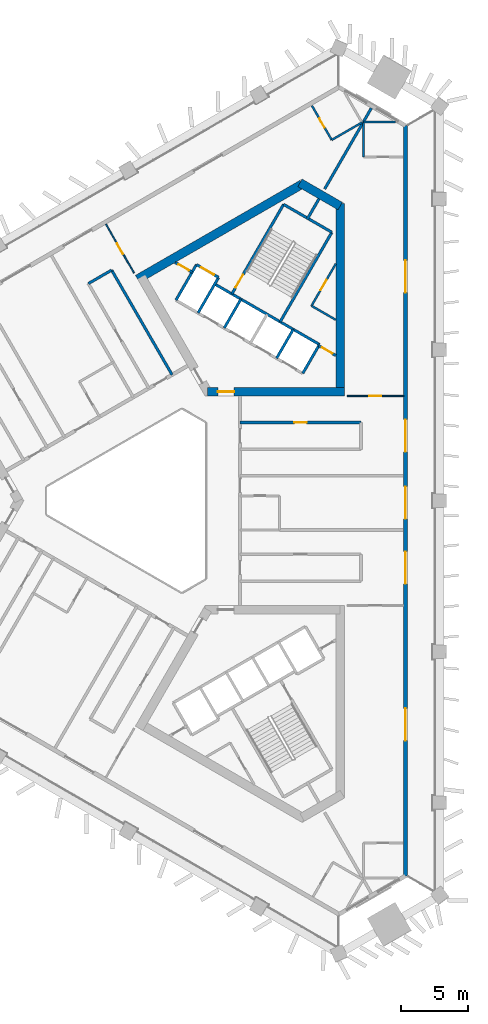
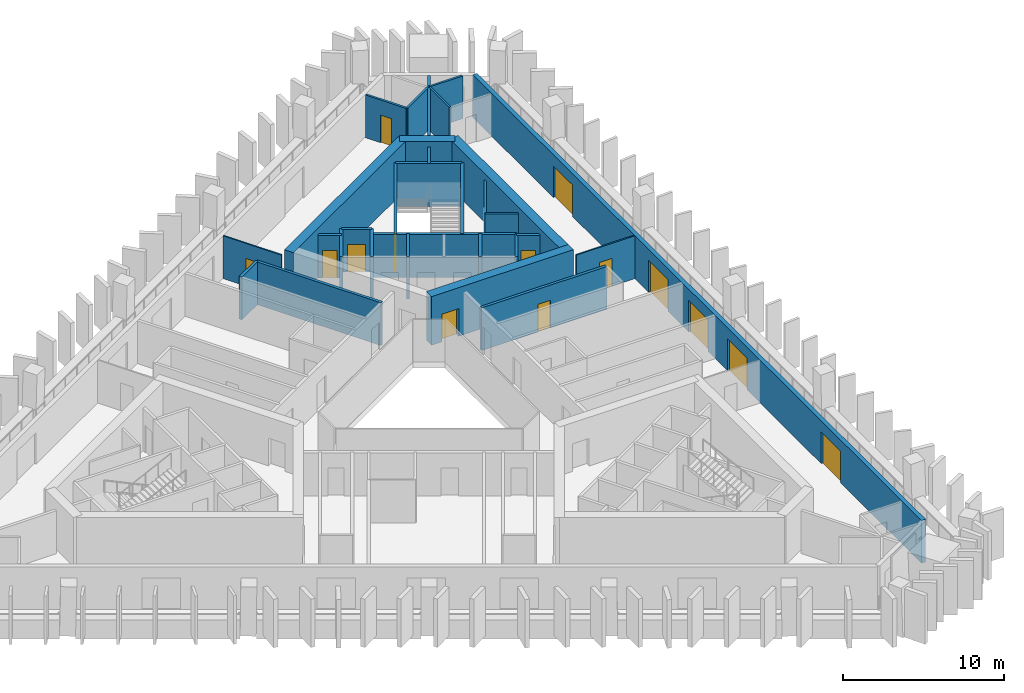
# One storey, part 6 of 11: 30 walls, 15 doors, 15 openings.
"""IFC4 building model written with IfcOpenShell, lengths in metres."""

import ifcopenshell
import ifcopenshell.guid

model = None  # the IFC model being written
_history = None  # IfcOwnerHistory: only IFC2X3 demands one
_inside = {}  # id of a spatial element -> (the spatial element, [elements in it])
_under = {}  # id of a project, library or spatial element -> (it, [spatial elements below it])
_declared = {}  # id of a project -> (the project, [libraries it declares])
_typed = {}  # id of a type object -> (the type object, [elements of that type])
_made_of = {}  # id of a material, layer set ... -> (it, [elements and type objects made of it])


def new_model(schema):
    """Start an empty IFC model of exactly this schema.

    Asked for "IFC4X3", IfcOpenShell would pick the latest addendum, in which some entities
    have other attributes; the version numbers below select the first issue.
    IFC2X3 requires an IfcOwnerHistory on every rooted entity: one is made here for all.
    """
    global model, _history
    if schema == "IFC4X3":
        model = ifcopenshell.file(schema_version=(4, 3, 0, 0))
    else:
        model = ifcopenshell.file(schema=schema)
    _inside.clear()
    _under.clear()
    _declared.clear()
    _typed.clear()
    _made_of.clear()
    _history = None
    if model.schema == "IFC2X3":
        org = make("IfcOrganization", Name="unknown")
        user = make(
            "IfcPersonAndOrganization",
            ThePerson=make("IfcPerson", FamilyName="unknown"),
            TheOrganization=org,
        )
        app = make(
            "IfcApplication",
            ApplicationDeveloper=org,
            Version="unknown",
            ApplicationFullName="unknown",
            ApplicationIdentifier="unknown",
        )
        _history = make(
            "IfcOwnerHistory",
            OwningUser=user,
            OwningApplication=app,
            ChangeAction="ADDED",
            CreationDate=0,
        )
    return model


def make(cls, **values):
    """One entity of the class cls with the attributes given. An attribute that is None is left unset."""
    return model.create_entity(
        cls, **{name: value for name, value in values.items() if value is not None}
    )


def rooted(cls, **values):
    """An entity with a GlobalId (a new one), such as an element, a storey or a relation."""
    return make(cls, GlobalId=ifcopenshell.guid.new(), OwnerHistory=_history, **values)


def si_unit(unit_type, name, prefix=None):
    """IfcSIUnit, for example si_unit("LENGTHUNIT", "METRE", prefix="MILLI")."""
    return make("IfcSIUnit", UnitType=unit_type, Prefix=prefix, Name=name)


def assignment(units):
    """IfcUnitAssignment: the units of a project."""
    return None if units is None else make("IfcUnitAssignment", Units=units)


def point(xyz):
    """IfcCartesianPoint."""
    return None if xyz is None else make("IfcCartesianPoint", Coordinates=xyz)


def direction(xyz):
    """IfcDirection."""
    return None if xyz is None else make("IfcDirection", DirectionRatios=xyz)


def frame(location, z_axis=None, x_axis=None):
    """IfcAxis2Placement3D, a coordinate frame: its origin and axes. An axis left out is left unset."""
    return make(
        "IfcAxis2Placement3D",
        Location=point(location),
        Axis=direction(z_axis),
        RefDirection=direction(x_axis),
    )


def frame_2d(location, x_axis=None):
    """IfcAxis2Placement2D, a coordinate frame in the plane: its origin and x axis."""
    return make(
        "IfcAxis2Placement2D", Location=point(location), RefDirection=direction(x_axis)
    )


def origin():
    """The frame at (0, 0, 0) with its axes left unset."""
    return frame((0.0, 0.0, 0.0))


def place(relative_to, where):
    """IfcLocalPlacement: puts the frame where relative to a parent placement (None: the world)."""
    return make(
        "IfcLocalPlacement", PlacementRelTo=relative_to, RelativePlacement=where
    )


def context(
    kind, dimensions, precision=None, world=None, true_north=None, identifier=None
):
    """IfcGeometricRepresentationContext, for example the 3D "Model" context."""
    return make(
        "IfcGeometricRepresentationContext",
        ContextIdentifier=identifier,
        ContextType=kind,
        CoordinateSpaceDimension=dimensions,
        Precision=precision,
        WorldCoordinateSystem=world,
        TrueNorth=true_north,
    )


def subcontext(parent, identifier, kind, view, scale=None):
    """IfcGeometricRepresentationSubContext, for example "Body" below "Model"."""
    return make(
        "IfcGeometricRepresentationSubContext",
        ContextIdentifier=identifier,
        ContextType=kind,
        ParentContext=parent,
        TargetScale=scale,
        TargetView=view,
    )


def project(units=None, contexts=None):
    """IfcProject with its units and contexts."""
    return rooted(
        "IfcProject",
        Name="project",
        RepresentationContexts=contexts,
        UnitsInContext=assignment(units),
    )


def spatial(cls, under=None, at=None, **own):
    """A site, building, storey or space (cls), placed at a placement, below another one or the project."""
    s = rooted(cls, ObjectPlacement=at, **own)
    if under is not None:
        _under.setdefault(under.id(), (under, []))[1].append(s)
    return s


def profile(cls, at=None, kind="AREA", **sizes):
    """A parametric profile (cls). Its sizes go by their IFC names, for example OverallWidth=200.0."""
    return make(cls, ProfileType=kind, Position=at, **sizes)


def rectangle(**sizes):
    """IfcRectangleProfileDef."""
    return profile("IfcRectangleProfileDef", **sizes)


def extrude(swept, where, along, depth):
    """IfcExtrudedAreaSolid: the profile swept, set in the frame where, extruded along a direction by depth."""
    return make(
        "IfcExtrudedAreaSolid",
        SweptArea=swept,
        Position=where,
        ExtrudedDirection=direction(along),
        Depth=depth,
    )


def shape(context_of_items, identifier, shape_type, items):
    """IfcShapeRepresentation: the items that make up one representation, for example the "Body"."""
    return make(
        "IfcShapeRepresentation",
        ContextOfItems=context_of_items,
        RepresentationIdentifier=identifier,
        RepresentationType=shape_type,
        Items=items,
    )


def material(Name=None, Category=None):
    """IfcMaterial."""
    return make("IfcMaterial", Name=Name, Category=Category)


def layer(
    of_material, thickness, ventilated=None, Name=None, Category=None, Priority=None
):
    """IfcMaterialLayer: one layer of a wall or slab, of a material (None: an air gap)."""
    return make(
        "IfcMaterialLayer",
        Material=of_material,
        LayerThickness=thickness,
        IsVentilated=ventilated,
        Name=Name,
        Category=Category,
        Priority=Priority,
    )


def layer_set(layers, Name=None):
    """IfcMaterialLayerSet."""
    return make("IfcMaterialLayerSet", MaterialLayers=layers, LayerSetName=Name)


def made_of(thing, what):
    """Note that an element or type object is made of a material, layer set ...; save() writes the relation."""
    if what is not None:
        _made_of.setdefault(what.id(), (what, []))[1].append(thing)
    return thing


def type_object(cls, material=None, **own):
    """A type object (cls), such as IfcWallType, which elements share."""
    return made_of(rooted(cls, **own), material)


def element(
    cls,
    number,
    at=None,
    inside=None,
    cuts=None,
    type_object=None,
    material=None,
    context=None,
    identifier="Body",
    shape_type=None,
    held_by="IfcProductDefinitionShape",
    body=None,
    shapes=None,
    **own,
):
    """One element of the class cls, such as IfcWall. Its Tag is "e" and its number.

    at: its placement. inside: the storey or other place that contains it. cuts: it is an
    opening in that element (IfcRelVoidsElement). A single representation is given by context,
    identifier, shape_type and body (its items); several are given by shapes. held_by: the class
    of the entity that holds the representations. save() writes the other relations.
    """
    e = rooted(cls, Tag="e%d" % number, ObjectPlacement=at, **own)
    if body is not None:
        shapes = [shape(context, identifier, shape_type, body)]
    if shapes is not None:
        e.Representation = make(held_by, Representations=shapes)
    if inside is not None:
        _inside.setdefault(inside.id(), (inside, []))[1].append(e)
    if cuts is not None:
        rooted(
            "IfcRelVoidsElement", RelatingBuildingElement=cuts, RelatedOpeningElement=e
        )
    if type_object is not None:
        _typed.setdefault(type_object.id(), (type_object, []))[1].append(e)
    return made_of(e, material)


def fill(opening, filler):
    """IfcRelFillsElement: the door or window that sits in an opening."""
    return rooted(
        "IfcRelFillsElement",
        RelatingOpeningElement=opening,
        RelatedBuildingElement=filler,
    )


def aggregate(whole, parts):
    """IfcRelAggregates: a whole, such as a stair, and the parts it consists of."""
    return rooted("IfcRelAggregates", RelatingObject=whole, RelatedObjects=parts)


def save(model, path):
    """Write the relations noted so far, then the file.

    IfcRelAggregates (storeys below a building ...), IfcRelContainedInSpatialStructure (elements
    in a storey), IfcRelDefinesByType, IfcRelAssociatesMaterial and IfcRelDeclares: one each for
    every whole, place, type object, material and project.
    """
    for whole, parts in _under.values():
        aggregate(whole, parts)
    for where, things in _inside.values():
        rooted(
            "IfcRelContainedInSpatialStructure",
            RelatedElements=things,
            RelatingStructure=where,
        )
    for kind, things in _typed.values():
        rooted("IfcRelDefinesByType", RelatedObjects=things, RelatingType=kind)
    for what, things in _made_of.values():
        rooted("IfcRelAssociatesMaterial", RelatedObjects=things, RelatingMaterial=what)
    for by, libraries in _declared.values():
        rooted("IfcRelDeclares", RelatingContext=by, RelatedDefinitions=libraries)
    model.write(path)


model = new_model("IFC4")

# Units and contexts
model_context = context("Model", 3, precision=1e-05, world=origin(), true_north=direction((0.0, 1.0)))
body_context = subcontext(model_context, "Body", "Model", "MODEL_VIEW")
ifc_project = project(units=[si_unit("LENGTHUNIT", "METRE"), si_unit("AREAUNIT", "SQUARE_METRE"), si_unit("VOLUMEUNIT", "CUBIC_METRE"), si_unit("PLANEANGLEUNIT", "RADIAN"), si_unit("MASSUNIT", "GRAM", prefix="KILO")], contexts=[model_context])

# Site, building, storey
site_placement = place(None, origin())
site = spatial("IfcSite", under=ifc_project, at=site_placement, CompositionType="ELEMENT")
building_placement = place(site_placement, origin())
building = spatial("IfcBuilding", under=site, at=building_placement, Name="Jabali Bay Hotel Tower and Convention Centre", CompositionType="ELEMENT")
storey_placement = place(building_placement, frame((0.0, 0.0, 132.699951171875)))
storey = spatial("IfcBuildingStorey", under=building, at=storey_placement, Name="L32", CompositionType="ELEMENT", Elevation=132.699951171875)

# Wall
ifc_material_1 = material(Name="Concrete C40", Category="concrete")
ifc_layer_1 = layer(ifc_material_1, 0.199951171875)
ifc_layer_set_1 = layer_set([ifc_layer_1], Name="Concrete C40")
wall_type_1 = type_object("IfcWallType", Name="Core partition wall 200", PredefinedType="PARTITIONING", material=ifc_layer_set_1)
wall_1_placement = place(storey_placement, frame((87.090087890625, 100.9404296875, 0.0), z_axis=(0.0, 0.0, 1.0), x_axis=(0.499944938281, 0.866057191349, 0.0)))
element("IfcWall", 1, at=wall_1_placement, inside=storey, type_object=wall_type_1, Name="Core wall 1.5 L32", PredefinedType="PARTITIONING", context=body_context, shape_type="SweptSolid", body=[
    extrude(rectangle(XDim=1.773193359375, YDim=0.199951171875, at=frame_2d((0.88671875, 0.0))), origin(), (0.0, 0.0, 1.0), 3.25),
])

# Wall, opening, door
wall_2_placement = place(storey_placement, frame((89.22998046875, 90.813720703125, 0.0), z_axis=(0.0, 0.0, 1.0), x_axis=(-0.866022048785, 0.500005810984, 0.0)))
wall_2 = element("IfcWall", 2, at=wall_2_placement, inside=storey, type_object=wall_type_1, Name="Core wall 1.11 L32", PredefinedType="PARTITIONING", context=body_context, shape_type="SweptSolid", body=[
    extrude(rectangle(XDim=1.466796875, YDim=0.199951171875, at=frame_2d((0.7333984375, 0.0))), origin(), (0.0, 0.0, 1.0), 3.25),
])
opening_1_placement = place(wall_2_placement, frame((0.283447265625, 0.0, 0.0)))
opening_1 = element("IfcOpeningElement", 3, at=opening_1_placement, cuts=wall_2, Name="Opening D713", PredefinedType="OPENING", context=body_context, shape_type="SweptSolid", body=[
    extrude(rectangle(XDim=0.89990234375, YDim=2.10009765625, at=frame_2d((0.449951171875, 1.050048828125))), frame((0.0, 0.1103515625, 0.0), z_axis=(0.0, -1.0, 0.0), x_axis=(1.0, 0.0, 0.0)), (0.0, 0.0, 1.0), 0.220947265625),
])
ifc_material_2 = material(Name="Fire-rated steel door", Category="steel")
door_type_1 = type_object("IfcDoorType", Name="Vestibule fire door 900 x 2100", OperationType="NOTDEFINED", PredefinedType="NOTDEFINED", material=ifc_material_2)
door_1_placement = place(opening_1_placement, origin())
door_1 = element("IfcDoor", 4, at=door_1_placement, inside=storey, type_object=door_type_1, Name="Vestibule fire door D713", OperationType="SINGLE_SWING_LEFT", OverallHeight=2.10009765625, OverallWidth=0.89990234375, PredefinedType="NOTDEFINED", context=body_context, shape_type="SweptSolid", body=[
    extrude(rectangle(XDim=0.89990234375, YDim=2.10009765625, at=frame_2d((0.449951171875, 1.050048828125))), frame((0.0, 0.02490234375, 0.0), z_axis=(0.0, -1.0, 0.0), x_axis=(1.0, 0.0, 0.0)), (0.0, 0.0, 1.0), 0.050048828125),
])
fill(opening_1, door_1)

wall_3_placement = place(storey_placement, frame((78.5302734375, 97.014404296875, 0.0), z_axis=(0.0, 0.0, 1.0), x_axis=(-0.866045896294, 0.499964504253, 0.0)))
wall_3 = element("IfcWall", 5, at=wall_3_placement, inside=storey, type_object=wall_type_1, Name="Core wall 1.12 L32", PredefinedType="PARTITIONING", context=body_context, shape_type="SweptSolid", body=[
    extrude(rectangle(XDim=1.455078125, YDim=0.199951171875, at=frame_2d((0.7275390625, 0.0))), origin(), (0.0, 0.0, 1.0), 3.25),
])
opening_2_placement = place(wall_3_placement, frame((0.277587890625, 0.0, 0.0)))
opening_2 = element("IfcOpeningElement", 6, at=opening_2_placement, cuts=wall_3, Name="Opening D712", PredefinedType="OPENING", context=body_context, shape_type="SweptSolid", body=[
    extrude(rectangle(XDim=0.89990234375, YDim=2.10009765625, at=frame_2d((0.449951171875, 1.050048828125))), frame((0.0, 0.1103515625, 0.0), z_axis=(0.0, -1.0, 0.0), x_axis=(1.0, 0.0, 0.0)), (0.0, 0.0, 1.0), 0.220947265625),
])
door_2_placement = place(opening_2_placement, origin())
door_2 = element("IfcDoor", 7, at=door_2_placement, inside=storey, type_object=door_type_1, Name="Vestibule fire door D712", OperationType="SINGLE_SWING_LEFT", OverallHeight=2.10009765625, OverallWidth=0.89990234375, PredefinedType="NOTDEFINED", context=body_context, shape_type="SweptSolid", body=[
    extrude(rectangle(XDim=0.89990234375, YDim=2.10009765625, at=frame_2d((0.449951171875, 1.050048828125))), frame((0.0, 0.02490234375, 0.0), z_axis=(0.0, -1.0, 0.0), x_axis=(1.0, 0.0, 0.0)), (0.0, 0.0, 1.0), 0.050048828125),
])
fill(opening_2, door_2)

ifc_material_3 = material(Name="Fire-rated board partition")
ifc_layer_2 = layer(ifc_material_3, 0.14990234375)
ifc_layer_set_2 = layer_set([ifc_layer_2], Name="Fire-rated board partition")
wall_type_2 = type_object("IfcWallType", Name="Core room partition 150", PredefinedType="PARTITIONING", material=ifc_layer_set_2)
wall_4_placement = place(storey_placement, frame((87.421142578125, 94.513916015625, 0.0), z_axis=(0.0, 0.0, 1.0), x_axis=(0.499993116331, 0.866029378036, 0.0)))
wall_4 = element("IfcWall", 8, at=wall_4_placement, inside=storey, type_object=wall_type_2, Name="Core wall 1.1 L32", PredefinedType="PARTITIONING", context=body_context, shape_type="SweptSolid", body=[
    extrude(rectangle(XDim=3.61767578125, YDim=0.14990234375, at=frame_2d((1.808837890625, 0.0))), origin(), (0.0, 0.0, 1.0), 3.25),
])
opening_3_placement = place(wall_4_placement, frame((1.33154296875, 0.0, 0.0)))
opening_3 = element("IfcOpeningElement", 9, at=opening_3_placement, cuts=wall_4, Name="Opening D715", PredefinedType="OPENING", context=body_context, shape_type="SweptSolid", body=[
    extrude(rectangle(XDim=0.89990234375, YDim=2.10009765625, at=frame_2d((0.449951171875, 1.050048828125))), frame((0.0, 0.08544921875, 0.0), z_axis=(0.0, -1.0, 0.0), x_axis=(1.0, 0.0, 0.0)), (0.0, 0.0, 1.0), 0.1708984375),
])
door_type_2 = type_object("IfcDoorType", Name="Core room door 900 x 2100", OperationType="NOTDEFINED", PredefinedType="NOTDEFINED", material=ifc_material_2)
door_3_placement = place(opening_3_placement, origin())
door_3 = element("IfcDoor", 10, at=door_3_placement, inside=storey, type_object=door_type_2, Name="Core room door D715", OperationType="SINGLE_SWING_LEFT", OverallHeight=2.10009765625, OverallWidth=0.89990234375, PredefinedType="NOTDEFINED", context=body_context, shape_type="SweptSolid", body=[
    extrude(rectangle(XDim=0.89990234375, YDim=2.10009765625, at=frame_2d((0.449951171875, 1.050048828125))), frame((0.0, 0.02490234375, 0.0), z_axis=(0.0, -1.0, 0.0), x_axis=(1.0, 0.0, 0.0)), (0.0, 0.0, 1.0), 0.050048828125),
])
fill(opening_3, door_3)

# Walls
wall_5_placement = place(storey_placement, frame((89.22998046875, 93.469482421875, 0.0), z_axis=(0.0, 0.0, 1.0), x_axis=(-0.866004557827, 0.500036104519, 0.0)))
element("IfcWall", 11, at=wall_5_placement, inside=storey, type_object=wall_type_2, Name="Core wall 1.15 L32", PredefinedType="PARTITIONING", context=body_context, shape_type="SweptSolid", body=[
    extrude(rectangle(XDim=2.088623046875, YDim=0.14990234375, at=frame_2d((1.04443359375, 0.0))), origin(), (0.0, 0.0, 1.0), 3.25),
])
ifc_layer_3 = layer(ifc_material_1, 0.199951171875)
ifc_layer_set_3 = layer_set([ifc_layer_3], Name="Concrete C40")
wall_type_3 = type_object("IfcWallType", Name="Core stair wall 200", PredefinedType="SOLIDWALL", material=ifc_layer_set_3)
for number, where, z_axis, x_axis, name in (
    (12, (86.769775390625, 89.48583984375, 0.0), (0.0, 0.0, 1.0), (0.499961042966, 0.86604789447, 0.0), "Core wall 1.0 L32"),
    (13, (84.8212890625, 90.61083984375, 0.0), (0.0, 0.0, 1.0), (0.499961042966, 0.86604789447, 0.0), "Core wall 1.2 L32"),
):
    element("IfcWall", number, at=place(storey_placement, frame(where, z_axis=z_axis, x_axis=x_axis)), inside=storey, type_object=wall_type_3, Name=name, PredefinedType="SOLIDWALL", context=body_context, shape_type="SweptSolid", body=[
        extrude(rectangle(XDim=2.480224609375, YDim=0.199951171875, at=frame_2d((1.240234375, 0.0))), origin(), (0.0, 0.0, 1.0), 3.25),
    ])
wall_6_placement = place(storey_placement, frame((85.0869140625, 93.3212890625, 0.0), z_axis=(0.0, 0.0, 1.0), x_axis=(0.500019787375, 0.866013979237, 0.0)))
element("IfcWall", 14, at=wall_6_placement, inside=storey, type_object=wall_type_3, Name="Core wall 1.3 L32", PredefinedType="SOLIDWALL", context=body_context, shape_type="SweptSolid", body=[
    extrude(rectangle(XDim=7.699951171875, YDim=0.199951171875, at=frame_2d((3.85009765625, 0.0))), origin(), (0.0, 0.0, 1.0), 3.25),
])
wall_7_placement = place(storey_placement, frame((80.924072265625, 92.86083984375, 0.0), z_axis=(0.0, 0.0, 1.0), x_axis=(0.499961042966, 0.86604789447, 0.0)))
element("IfcWall", 15, at=wall_7_placement, inside=storey, type_object=wall_type_3, Name="Core wall 1.6 L32", PredefinedType="SOLIDWALL", context=body_context, shape_type="SweptSolid", body=[
    extrude(rectangle(XDim=2.480224609375, YDim=0.199951171875, at=frame_2d((1.240234375, 0.0))), origin(), (0.0, 0.0, 1.0), 3.25),
])

# Wall, opening, door
wall_8_placement = place(storey_placement, frame((81.492919921875, 95.396240234375, 0.0), z_axis=(0.0, 0.0, 1.0), x_axis=(0.500006057782, 0.866021906294, 0.0)))
wall_8 = element("IfcWall", 16, at=wall_8_placement, inside=storey, type_object=wall_type_3, Name="Core wall 1.7 L32", PredefinedType="SOLIDWALL", context=body_context, shape_type="SweptSolid", body=[
    extrude(rectangle(XDim=7.7001953125, YDim=0.199951171875, at=frame_2d((3.85009765625, 0.0))), origin(), (0.0, 0.0, 1.0), 3.25),
])
opening_4_placement = place(wall_8_placement, frame((0.550048828125, 0.0, 0.0)))
opening_4 = element("IfcOpeningElement", 17, at=opening_4_placement, cuts=wall_8, Name="Opening D714", PredefinedType="OPENING", context=body_context, shape_type="SweptSolid", body=[
    extrude(rectangle(XDim=1.10009765625, YDim=2.10009765625, at=frame_2d((0.550048828125, 1.050048828125))), frame((0.0, 0.1103515625, 0.0), z_axis=(0.0, -1.0, 0.0), x_axis=(1.0, 0.0, 0.0)), (0.0, 0.0, 1.0), 0.220947265625),
])
door_type_3 = type_object("IfcDoorType", Name="Stair fire door 1100 x 2100", OperationType="NOTDEFINED", PredefinedType="NOTDEFINED", material=ifc_material_2)
door_4_placement = place(opening_4_placement, origin())
door_4 = element("IfcDoor", 18, at=door_4_placement, inside=storey, type_object=door_type_3, Name="Stair fire door D714", OperationType="SINGLE_SWING_RIGHT", OverallHeight=2.10009765625, OverallWidth=1.10009765625, PredefinedType="NOTDEFINED", context=body_context, shape_type="SweptSolid", body=[
    extrude(rectangle(XDim=1.10009765625, YDim=2.10009765625, at=frame_2d((0.550048828125, 1.050048828125))), frame((0.0, 0.02490234375, 0.0), z_axis=(0.0, -1.0, 0.0), x_axis=(1.0, 0.0, 0.0)), (0.0, 0.0, 1.0), 0.050048828125),
])
fill(opening_4, door_4)

# Walls
for number, where, z_axis, x_axis, name in (
    (19, (78.9755859375, 93.98583984375, 0.0), (0.0, 0.0, 1.0), (0.499944174705, 0.866057632134, 0.0), "Core wall 1.8 L32"),
    (20, (77.330078125, 94.93603515625, 0.0), (0.0, 0.0, 1.0), (0.500038867431, 0.8660029625, 0.0), "Core wall 1.9 L32"),
):
    element("IfcWall", number, at=place(storey_placement, frame(where, z_axis=z_axis, x_axis=x_axis)), inside=storey, type_object=wall_type_3, Name=name, PredefinedType="SOLIDWALL", context=body_context, shape_type="SweptSolid", body=[
        extrude(rectangle(XDim=3.050048828125, YDim=0.199951171875, at=frame_2d((1.52490234375, 0.0))), origin(), (0.0, 0.0, 1.0), 3.25),
    ])
wall_9_placement = place(storey_placement, frame((88.009765625, 91.6337890625, 0.0), z_axis=(0.0, 0.0, 1.0), x_axis=(-0.866024315419, 0.5000018851, 0.0)))
element("IfcWall", 21, at=wall_9_placement, inside=storey, type_object=wall_type_3, Name="Core wall 1.13 L32", PredefinedType="SOLIDWALL", context=body_context, shape_type="SweptSolid", body=[
    extrude(rectangle(XDim=9.0, YDim=0.199951171875, at=frame_2d((4.5, 0.0))), origin(), (0.0, 0.0, 1.0), 3.25),
])

# Wall, opening, door
wall_10_placement = place(storey_placement, frame((80.50048828125, 96.62744140625, 0.0), z_axis=(0.0, 0.0, 1.0), x_axis=(-0.86601224135, 0.500022797313, 0.0)))
wall_10 = element("IfcWall", 22, at=wall_10_placement, inside=storey, type_object=wall_type_3, Name="Core wall 1.14 L32", PredefinedType="SOLIDWALL", context=body_context, shape_type="SweptSolid", body=[
    extrude(rectangle(XDim=1.89990234375, YDim=0.199951171875, at=frame_2d((0.949951171875, 0.0))), origin(), (0.0, 0.0, 1.0), 3.25),
])
opening_5_placement = place(wall_10_placement, frame((0.39990234375, 0.0, 0.0)))
opening_5 = element("IfcOpeningElement", 23, at=opening_5_placement, cuts=wall_10, Name="Opening LD10-L32", PredefinedType="OPENING", context=body_context, shape_type="SweptSolid", body=[
    extrude(rectangle(XDim=1.10009765625, YDim=2.10009765625, at=frame_2d((0.550048828125, 1.050048828125))), frame((0.0, 0.1103515625, 0.0), z_axis=(0.0, -1.0, 0.0), x_axis=(1.0, 0.0, 0.0)), (0.0, 0.0, 1.0), 0.220947265625),
])
ifc_material_4 = material(Name="Stainless steel landing door", Category="steel")
door_type_4 = type_object("IfcDoorType", Name="Landing door 1100 x 2100", OperationType="NOTDEFINED", PredefinedType="NOTDEFINED", material=ifc_material_4)
door_5_placement = place(opening_5_placement, origin())
door_5 = element("IfcDoor", 24, at=door_5_placement, inside=storey, type_object=door_type_4, Name="Landing doors LD10-L32", OperationType="SLIDING_TO_RIGHT", OverallHeight=2.10009765625, OverallWidth=1.10009765625, PredefinedType="NOTDEFINED", context=body_context, shape_type="SweptSolid", body=[
    extrude(rectangle(XDim=1.10009765625, YDim=2.10009765625, at=frame_2d((0.550048828125, 1.050048828125))), frame((0.0, 0.02490234375, 0.0), z_axis=(0.0, -1.0, 0.0), x_axis=(1.0, 0.0, 0.0)), (0.0, 0.0, 1.0), 0.050048828125),
])
fill(opening_5, door_5)

# Wall
wall_11_placement = place(storey_placement, frame((88.93701171875, 99.989501953125, 0.0), z_axis=(0.0, 0.0, 1.0), x_axis=(-0.866004344652, 0.500036473714, 0.0)))
element("IfcWall", 25, at=wall_11_placement, inside=storey, type_object=wall_type_3, Name="Core wall 1.16 L32", PredefinedType="SOLIDWALL", context=body_context, shape_type="SweptSolid", body=[
    extrude(rectangle(XDim=4.150146484375, YDim=0.199951171875, at=frame_2d((2.0751953125, 0.0))), origin(), (0.0, 0.0, 1.0), 3.25),
])

# Wall, opening, door
ifc_material_5 = material(Name="Concrete C60", Category="concrete")
ifc_layer_4 = layer(ifc_material_5, 0.64990234375)
ifc_layer_set_4 = layer_set([ifc_layer_4], Name="Concrete C60")
wall_type_4 = type_object("IfcWallType", Name="Core wall 650", PredefinedType="SHEAR", material=ifc_layer_set_4)
wall_12_placement = place(storey_placement, frame((79.687744140625, 88.119140625, 0.0), z_axis=(0.0, 0.0, 1.0), x_axis=(1.0, 0.0, 0.0)))
wall_12 = element("IfcWall", 26, at=wall_12_placement, inside=storey, type_object=wall_type_4, Name="Core wall 2.1 L32", PredefinedType="SHEAR", context=body_context, shape_type="SweptSolid", body=[
    extrude(rectangle(XDim=10.192138671875, YDim=0.64990234375, at=frame_2d((5.09619140625, 0.0))), origin(), (0.0, 0.0, 1.0), 3.699951171875),
])
opening_6_placement = place(wall_12_placement, frame((0.762451171875, 0.0, 0.0)))
opening_6 = element("IfcOpeningElement", 27, at=opening_6_placement, cuts=wall_12, Name="Opening D710", PredefinedType="OPENING", context=body_context, shape_type="SweptSolid", body=[
    extrude(rectangle(XDim=1.199951171875, YDim=2.10009765625, at=frame_2d((0.60009765625, 1.050048828125))), frame((0.0, 0.33544921875, 0.0), z_axis=(0.0, -1.0, 0.0), x_axis=(1.0, 0.0, 0.0)), (0.0, 0.0, 1.0), 0.6708984375),
])
door_type_5 = type_object("IfcDoorType", Name="Corridor end fire door 1200 x 2100", OperationType="NOTDEFINED", PredefinedType="NOTDEFINED", material=ifc_material_2)
door_6_placement = place(opening_6_placement, origin())
door_6 = element("IfcDoor", 28, at=door_6_placement, inside=storey, type_object=door_type_5, Name="Corridor end fire door D710", OperationType="SINGLE_SWING_RIGHT", OverallHeight=2.10009765625, OverallWidth=1.199951171875, PredefinedType="NOTDEFINED", context=body_context, shape_type="SweptSolid", body=[
    extrude(rectangle(XDim=1.199951171875, YDim=2.10009765625, at=frame_2d((0.60009765625, 1.050048828125))), frame((0.0, 0.02490234375, 0.0), z_axis=(0.0, -1.0, 0.0), x_axis=(1.0, 0.0, 0.0)), (0.0, 0.0, 1.0), 0.050048828125),
])
fill(opening_6, door_6)

# Walls
wall_13_placement = place(storey_placement, frame((89.554931640625, 88.119140625, 0.0), z_axis=(0.0, 0.0, 1.0), x_axis=(0.0, 1.0, 0.0)))
element("IfcWall", 29, at=wall_13_placement, inside=storey, type_object=wall_type_4, Name="Core wall 2.2 L32", PredefinedType="SHEAR", context=body_context, shape_type="SweptSolid", body=[
    extrude(rectangle(XDim=14.008544921875, YDim=0.64990234375, at=frame_2d((7.00439453125, 0.0))), origin(), (0.0, 0.0, 1.0), 3.699951171875),
])
wall_14_placement = place(storey_placement, frame((89.554931640625, 101.93994140625, 0.0), z_axis=(0.0, 0.0, 1.0), x_axis=(-0.866031550877, 0.499989352773, 0.0)))
element("IfcWall", 30, at=wall_14_placement, inside=storey, type_object=wall_type_4, Name="Core wall 2.3 L32", PredefinedType="SHEAR", context=body_context, shape_type="SweptSolid", body=[
    extrude(rectangle(XDim=3.45751953125, YDim=0.64990234375, at=frame_2d((1.728759765625, 0.0))), origin(), (0.0, 0.0, 1.0), 3.699951171875),
])
wall_15_placement = place(storey_placement, frame((86.72314453125, 103.574951171875, 0.0), z_axis=(0.0, 0.0, 1.0), x_axis=(-0.866031824457, -0.499988878904, 0.0)))
element("IfcWall", 31, at=wall_15_placement, inside=storey, type_object=wall_type_4, Name="Core wall 2.4 L32", PredefinedType="SHEAR", context=body_context, shape_type="SweptSolid", body=[
    extrude(rectangle(XDim=14.145751953125, YDim=0.64990234375, at=frame_2d((7.07275390625, 0.0))), origin(), (0.0, 0.0, 1.0), 3.699951171875),
])

# Wall, openings, doors
ifc_layer_5 = layer(ifc_material_1, 0.300048828125)
ifc_layer_set_5 = layer_set([ifc_layer_5], Name="Concrete C40")
wall_type_5 = type_object("IfcWallType", Name="External wall 300", PredefinedType="SOLIDWALL", material=ifc_layer_set_5)
wall_16_placement = place(storey_placement, frame((94.426513671875, 107.931884765625, 0.0), z_axis=(0.0, 0.0, 1.0), x_axis=(0.0, -1.0, 0.0)))
wall_16 = element("IfcWall", 32, at=wall_16_placement, inside=storey, type_object=wall_type_5, Name="External wall east face L32", PredefinedType="SOLIDWALL", context=body_context, shape_type="SweptSolid", body=[
    extrude(rectangle(XDim=55.86376953125, YDim=0.300048828125, at=frame_2d((27.931884765625, 0.0))), origin(), (0.0, 0.0, 1.0), 3.25),
])
opening_7_placement = place(wall_16_placement, frame((31.72021484375, 0.0, 0.0)))
opening_7 = element("IfcOpeningElement", 33, at=opening_7_placement, cuts=wall_16, Name="Opening SD1", PredefinedType="OPENING", context=body_context, shape_type="SweptSolid", body=[
    extrude(rectangle(XDim=2.39990234375, YDim=2.39990234375, at=frame_2d((1.199951171875, 1.199951171875))), frame((0.0, 0.16064453125, 0.0), z_axis=(0.0, -1.0, 0.0), x_axis=(1.0, 0.0, 0.0)), (0.0, 0.0, 1.0), 0.321044921875),
])
opening_8_placement = place(wall_16_placement, frame((43.383544921875, 0.0, 0.0)))
opening_8 = element("IfcOpeningElement", 34, at=opening_8_placement, cuts=wall_16, Name="Opening SD1", PredefinedType="OPENING", context=body_context, shape_type="SweptSolid", body=[
    extrude(rectangle(XDim=2.39990234375, YDim=2.39990234375, at=frame_2d((1.199951171875, 1.199951171875))), frame((0.0, 0.16064453125, 0.0), z_axis=(0.0, -1.0, 0.0), x_axis=(1.0, 0.0, 0.0)), (0.0, 0.0, 1.0), 0.321044921875),
])
opening_9_placement = place(wall_16_placement, frame((21.899658203125, 0.0, 0.0)))
opening_9 = element("IfcOpeningElement", 35, at=opening_9_placement, cuts=wall_16, Name="Opening SD1", PredefinedType="OPENING", context=body_context, shape_type="SweptSolid", body=[
    extrude(rectangle(XDim=2.39990234375, YDim=2.39990234375, at=frame_2d((1.199951171875, 1.199951171875))), frame((0.0, 0.16064453125, 0.0), z_axis=(0.0, -1.0, 0.0), x_axis=(1.0, 0.0, 0.0)), (0.0, 0.0, 1.0), 0.321044921875),
])
opening_10_placement = place(wall_16_placement, frame((10.02880859375, 0.0, 0.0)))
opening_10 = element("IfcOpeningElement", 36, at=opening_10_placement, cuts=wall_16, Name="Opening SD1", PredefinedType="OPENING", context=body_context, shape_type="SweptSolid", body=[
    extrude(rectangle(XDim=2.39990234375, YDim=2.39990234375, at=frame_2d((1.199951171875, 1.199951171875))), frame((0.0, 0.16064453125, 0.0), z_axis=(0.0, -1.0, 0.0), x_axis=(1.0, 0.0, 0.0)), (0.0, 0.0, 1.0), 0.321044921875),
])
opening_11_placement = place(wall_16_placement, frame((26.887939453125, 0.0, 0.0)))
opening_11 = element("IfcOpeningElement", 37, at=opening_11_placement, cuts=wall_16, Name="Opening SD1", PredefinedType="OPENING", context=body_context, shape_type="SweptSolid", body=[
    extrude(rectangle(XDim=2.39990234375, YDim=2.39990234375, at=frame_2d((1.199951171875, 1.199951171875))), frame((0.0, 0.16064453125, 0.0), z_axis=(0.0, -1.0, 0.0), x_axis=(1.0, 0.0, 0.0)), (0.0, 0.0, 1.0), 0.321044921875),
])
ifc_material_6 = material(Name="Glass", Category="glass")
door_type_6 = type_object("IfcDoorType", Name="Loggia sliding door 2400 x 2400", OperationType="NOTDEFINED", PredefinedType="NOTDEFINED", material=ifc_material_6)
door_7_placement = place(opening_7_placement, origin())
door_7 = element("IfcDoor", 38, at=door_7_placement, inside=storey, type_object=door_type_6, Name="Loggia sliding door 3201", OperationType="SLIDING_TO_LEFT", OverallHeight=2.39990234375, OverallWidth=2.39990234375, PredefinedType="NOTDEFINED", context=body_context, shape_type="SweptSolid", body=[
    extrude(rectangle(XDim=2.39990234375, YDim=2.39990234375, at=frame_2d((1.199951171875, 1.199951171875))), frame((0.0, 0.02490234375, 0.0), z_axis=(0.0, -1.0, 0.0), x_axis=(1.0, 0.0, 0.0)), (0.0, 0.0, 1.0), 0.050048828125),
])
fill(opening_7, door_7)
door_8_placement = place(opening_8_placement, origin())
door_8 = element("IfcDoor", 39, at=door_8_placement, inside=storey, type_object=door_type_6, Name="Loggia sliding door 3201", OperationType="SLIDING_TO_RIGHT", OverallHeight=2.39990234375, OverallWidth=2.39990234375, PredefinedType="NOTDEFINED", context=body_context, shape_type="SweptSolid", body=[
    extrude(rectangle(XDim=2.39990234375, YDim=2.39990234375, at=frame_2d((1.199951171875, 1.199951171875))), frame((0.0, 0.02490234375, 0.0), z_axis=(0.0, -1.0, 0.0), x_axis=(1.0, 0.0, 0.0)), (0.0, 0.0, 1.0), 0.050048828125),
])
fill(opening_8, door_8)
door_9_placement = place(opening_9_placement, origin())
door_9 = element("IfcDoor", 40, at=door_9_placement, inside=storey, type_object=door_type_6, Name="Loggia sliding door 3204", OperationType="SLIDING_TO_LEFT", OverallHeight=2.39990234375, OverallWidth=2.39990234375, PredefinedType="NOTDEFINED", context=body_context, shape_type="SweptSolid", body=[
    extrude(rectangle(XDim=2.39990234375, YDim=2.39990234375, at=frame_2d((1.199951171875, 1.199951171875))), frame((0.0, 0.02490234375, 0.0), z_axis=(0.0, -1.0, 0.0), x_axis=(1.0, 0.0, 0.0)), (0.0, 0.0, 1.0), 0.050048828125),
])
fill(opening_9, door_9)
door_10_placement = place(opening_10_placement, origin())
door_10 = element("IfcDoor", 41, at=door_10_placement, inside=storey, type_object=door_type_6, Name="Loggia sliding door 3204", OperationType="SLIDING_TO_RIGHT", OverallHeight=2.39990234375, OverallWidth=2.39990234375, PredefinedType="NOTDEFINED", context=body_context, shape_type="SweptSolid", body=[
    extrude(rectangle(XDim=2.39990234375, YDim=2.39990234375, at=frame_2d((1.199951171875, 1.199951171875))), frame((0.0, 0.02490234375, 0.0), z_axis=(0.0, -1.0, 0.0), x_axis=(1.0, 0.0, 0.0)), (0.0, 0.0, 1.0), 0.050048828125),
])
fill(opening_10, door_10)
door_11_placement = place(opening_11_placement, origin())
door_11 = element("IfcDoor", 42, at=door_11_placement, inside=storey, type_object=door_type_6, Name="Loggia sliding door 3203", OperationType="SLIDING_TO_LEFT", OverallHeight=2.39990234375, OverallWidth=2.39990234375, PredefinedType="NOTDEFINED", context=body_context, shape_type="SweptSolid", body=[
    extrude(rectangle(XDim=2.39990234375, YDim=2.39990234375, at=frame_2d((1.199951171875, 1.199951171875))), frame((0.0, 0.02490234375, 0.0), z_axis=(0.0, -1.0, 0.0), x_axis=(1.0, 0.0, 0.0)), (0.0, 0.0, 1.0), 0.050048828125),
])
fill(opening_11, door_11)

# Wall, opening, door
ifc_material_7 = material(Name="Plasterboard on steel stud", Category="steel")
ifc_layer_6 = layer(ifc_material_7, 0.10009765625)
ifc_layer_set_6 = layer_set([ifc_layer_6], Name="Plasterboard on steel stud")
wall_type_6 = type_object("IfcWallType", Name="Partition 100 unit", PredefinedType="PARTITIONING", material=ifc_layer_set_6)
wall_17_placement = place(storey_placement, frame((94.277587890625, 87.794189453125, 0.0), z_axis=(0.0, 0.0, 1.0), x_axis=(-1.0, 0.0, 0.0)))
wall_17 = element("IfcWall", 43, at=wall_17_placement, inside=storey, type_object=wall_type_6, Name="Partition P02 L32 014", PredefinedType="PARTITIONING", context=body_context, shape_type="SweptSolid", body=[
    extrude(rectangle(XDim=4.198486328125, YDim=0.10009765625, at=frame_2d((2.09912109375, 0.0))), origin(), (0.0, 0.0, 1.0), 3.25),
])
opening_12_placement = place(wall_17_placement, frame((1.64892578125, 0.0, 0.0)))
opening_12 = element("IfcOpeningElement", 44, at=opening_12_placement, cuts=wall_17, Name="Opening 3208", PredefinedType="OPENING", context=body_context, shape_type="SweptSolid", body=[
    extrude(rectangle(XDim=0.89990234375, YDim=2.10009765625, at=frame_2d((0.449951171875, 1.050048828125))), frame((0.0, 0.060546875, 0.0), z_axis=(0.0, -1.0, 0.0), x_axis=(1.0, 0.0, 0.0)), (0.0, 0.0, 1.0), 0.12109375),
])
ifc_material_8 = material(Name="Timber", Category="wood")
door_type_7 = type_object("IfcDoorType", Name="Internal door 900 x 2100", OperationType="NOTDEFINED", PredefinedType="NOTDEFINED", material=ifc_material_8)
door_12_placement = place(opening_12_placement, origin())
door_12 = element("IfcDoor", 45, at=door_12_placement, inside=storey, type_object=door_type_7, Name="Door 3208", OperationType="SINGLE_SWING_LEFT", OverallHeight=2.10009765625, OverallWidth=0.89990234375, PredefinedType="NOTDEFINED", context=body_context, shape_type="SweptSolid", body=[
    extrude(rectangle(XDim=0.89990234375, YDim=2.10009765625, at=frame_2d((0.449951171875, 1.050048828125))), frame((0.0, 0.02490234375, 0.0), z_axis=(0.0, -1.0, 0.0), x_axis=(1.0, 0.0, 0.0)), (0.0, 0.0, 1.0), 0.050048828125),
])
fill(opening_12, door_12)

wall_18_placement = place(storey_placement, frame((74.21044921875, 96.955810546875, 0.0), z_axis=(0.0, 0.0, 1.0), x_axis=(-0.49999760543, 0.866026786286, 0.0)))
wall_18 = element("IfcWall", 46, at=wall_18_placement, inside=storey, type_object=wall_type_6, Name="Partition P02 L32 022", PredefinedType="PARTITIONING", context=body_context, shape_type="SweptSolid", body=[
    extrude(rectangle(XDim=4.19873046875, YDim=0.10009765625, at=frame_2d((2.099365234375, 0.0))), origin(), (0.0, 0.0, 1.0), 3.25),
])
opening_13_placement = place(wall_18_placement, frame((1.64892578125, 0.0, 0.0)))
opening_13 = element("IfcOpeningElement", 47, at=opening_13_placement, cuts=wall_18, Name="Opening 3212", PredefinedType="OPENING", context=body_context, shape_type="SweptSolid", body=[
    extrude(rectangle(XDim=0.89990234375, YDim=2.10009765625, at=frame_2d((0.449951171875, 1.050048828125))), frame((0.0, 0.060546875, 0.0), z_axis=(0.0, -1.0, 0.0), x_axis=(1.0, 0.0, 0.0)), (0.0, 0.0, 1.0), 0.12109375),
])
door_13_placement = place(opening_13_placement, origin())
door_13 = element("IfcDoor", 48, at=door_13_placement, inside=storey, type_object=door_type_7, Name="Door 3212", OperationType="SINGLE_SWING_LEFT", OverallHeight=2.10009765625, OverallWidth=0.89990234375, PredefinedType="NOTDEFINED", context=body_context, shape_type="SweptSolid", body=[
    extrude(rectangle(XDim=0.89990234375, YDim=2.10009765625, at=frame_2d((0.449951171875, 1.050048828125))), frame((0.0, 0.02490234375, 0.0), z_axis=(0.0, -1.0, 0.0), x_axis=(1.0, 0.0, 0.0)), (0.0, 0.0, 1.0), 0.050048828125),
])
fill(opening_13, door_13)

# Walls
ifc_layer_7 = layer(ifc_material_7, 0.14990234375)
ifc_layer_set_7 = layer_set([ifc_layer_7], Name="Plasterboard on steel stud")
wall_type_7 = type_object("IfcWallType", Name="Partition 150 wet", PredefinedType="PARTITIONING", material=ifc_layer_set_7)
wall_19_placement = place(storey_placement, frame((91.301513671875, 105.59423828125, 0.0), z_axis=(0.0, 0.0, 1.0), x_axis=(0.0, 1.0, 0.0)))
element("IfcWall", 49, at=wall_19_placement, inside=storey, type_object=wall_type_7, Name="Partition P03 L32 019", PredefinedType="PARTITIONING", context=body_context, shape_type="SweptSolid", body=[
    extrude(rectangle(XDim=2.60009765625, YDim=0.14990234375, at=frame_2d((1.300048828125, 0.0))), origin(), (0.0, 0.0, 1.0), 3.25),
])
wall_20_placement = place(storey_placement, frame((91.301513671875, 108.1943359375, 0.0), z_axis=(0.0, 0.0, 1.0), x_axis=(1.0, 0.0, 0.0)))
element("IfcWall", 50, at=wall_20_placement, inside=storey, type_object=wall_type_7, Name="Partition P03 L32 020", PredefinedType="PARTITIONING", context=body_context, shape_type="SweptSolid", body=[
    extrude(rectangle(XDim=2.372802734375, YDim=0.14990234375, at=frame_2d((1.1865234375, 0.0))), origin(), (0.0, 0.0, 1.0), 3.25),
])
wall_21_placement = place(storey_placement, frame((91.176513671875, 108.162841796875, 0.0), z_axis=(0.0, 0.0, 1.0), x_axis=(-0.86603858612, -0.49997716683, 0.0)))
element("IfcWall", 51, at=wall_21_placement, inside=storey, type_object=wall_type_7, Name="Partition P03 L32 028", PredefinedType="PARTITIONING", context=body_context, shape_type="SweptSolid", body=[
    extrude(rectangle(XDim=2.599609375, YDim=0.14990234375, at=frame_2d((1.2998046875, 0.0))), origin(), (0.0, 0.0, 1.0), 3.25),
])

# Wall, opening, door
wall_22_placement = place(storey_placement, frame((88.925048828125, 106.863037109375, 0.0), z_axis=(0.0, 0.0, 1.0), x_axis=(-0.500012873392, 0.8660179712, 0.0)))
wall_22 = element("IfcWall", 52, at=wall_22_placement, inside=storey, type_object=wall_type_7, Name="Partition P03 L32 029", PredefinedType="PARTITIONING", context=body_context, shape_type="SweptSolid", body=[
    extrude(rectangle(XDim=2.93505859375, YDim=0.14990234375, at=frame_2d((1.467529296875, 0.0))), origin(), (0.0, 0.0, 1.0), 3.25),
])
opening_14_placement = place(wall_22_placement, frame((1.050048828125, 0.0, 0.0)))
opening_14 = element("IfcOpeningElement", 53, at=opening_14_placement, cuts=wall_22, Name="Opening 3213", PredefinedType="OPENING", context=body_context, shape_type="SweptSolid", body=[
    extrude(rectangle(XDim=0.800048828125, YDim=2.10009765625, at=frame_2d((0.39990234375, 1.050048828125))), frame((0.0, 0.08544921875, 0.0), z_axis=(0.0, -1.0, 0.0), x_axis=(1.0, 0.0, 0.0)), (0.0, 0.0, 1.0), 0.1708984375),
])
door_type_8 = type_object("IfcDoorType", Name="En-suite door 800 x 2100", OperationType="NOTDEFINED", PredefinedType="NOTDEFINED", material=ifc_material_8)
door_14_placement = place(opening_14_placement, origin())
door_14 = element("IfcDoor", 54, at=door_14_placement, inside=storey, type_object=door_type_8, Name="Door 3213", OperationType="SINGLE_SWING_RIGHT", OverallHeight=2.10009765625, OverallWidth=0.800048828125, PredefinedType="NOTDEFINED", context=body_context, shape_type="SweptSolid", body=[
    extrude(rectangle(XDim=0.800048828125, YDim=2.10009765625, at=frame_2d((0.39990234375, 1.050048828125))), frame((0.0, 0.02490234375, 0.0), z_axis=(0.0, -1.0, 0.0), x_axis=(1.0, 0.0, 0.0)), (0.0, 0.0, 1.0), 0.050048828125),
])
fill(opening_14, door_14)

ifc_layer_8 = layer(ifc_material_7, 0.199951171875)
ifc_layer_set_8 = layer_set([ifc_layer_8], Name="Plasterboard on steel stud")
wall_type_8 = type_object("IfcWallType", Name="Partition 200 party", PredefinedType="PARTITIONING", material=ifc_layer_set_8)
wall_23_placement = place(storey_placement, frame((82.10009765625, 85.83251953125, 0.0), z_axis=(0.0, 0.0, 1.0), x_axis=(1.0, 0.0, 0.0)))
wall_23 = element("IfcWall", 55, at=wall_23_placement, inside=storey, type_object=wall_type_8, Name="Partition P01 L32 015", PredefinedType="PARTITIONING", context=body_context, shape_type="SweptSolid", body=[
    extrude(rectangle(XDim=9.0, YDim=0.199951171875, at=frame_2d((4.5, 0.0))), origin(), (0.0, 0.0, 1.0), 3.25),
])
opening_15_placement = place(wall_23_placement, frame((4.050048828125, 0.0, 0.0)))
opening_15 = element("IfcOpeningElement", 56, at=opening_15_placement, cuts=wall_23, Name="Opening 3210", PredefinedType="OPENING", context=body_context, shape_type="SweptSolid", body=[
    extrude(rectangle(XDim=0.89990234375, YDim=2.10009765625, at=frame_2d((0.449951171875, 1.050048828125))), frame((0.0, 0.1103515625, 0.0), z_axis=(0.0, -1.0, 0.0), x_axis=(1.0, 0.0, 0.0)), (0.0, 0.0, 1.0), 0.220947265625),
])
door_15_placement = place(opening_15_placement, origin())
door_15 = element("IfcDoor", 57, at=door_15_placement, inside=storey, type_object=door_type_7, Name="Door 3210", OperationType="SINGLE_SWING_RIGHT", OverallHeight=2.10009765625, OverallWidth=0.89990234375, PredefinedType="NOTDEFINED", context=body_context, shape_type="SweptSolid", body=[
    extrude(rectangle(XDim=0.89990234375, YDim=2.10009765625, at=frame_2d((0.449951171875, 1.050048828125))), frame((0.0, 0.02490234375, 0.0), z_axis=(0.0, -1.0, 0.0), x_axis=(1.0, 0.0, 0.0)), (0.0, 0.0, 1.0), 0.050048828125),
])
fill(opening_15, door_15)

# Walls
wall_24_placement = place(storey_placement, frame((91.876953125, 109.23193359375, 0.0), z_axis=(0.0, 0.0, 1.0), x_axis=(-0.499972739829, -0.866041141879, 0.0)))
element("IfcWall", 58, at=wall_24_placement, inside=storey, type_object=wall_type_8, Name="Partition P01 L32 021", PredefinedType="PARTITIONING", context=body_context, shape_type="SweptSolid", body=[
    extrude(rectangle(XDim=6.9521484375, YDim=0.199951171875, at=frame_2d((3.47607421875, 0.0))), origin(), (0.0, 0.0, 1.0), 3.25),
])
wall_25_placement = place(storey_placement, frame((70.80908203125, 96.1708984375, 0.0), z_axis=(0.0, 0.0, 1.0), x_axis=(0.866010750942, 0.50002537861, 0.0)))
element("IfcWall", 59, at=wall_25_placement, inside=storey, type_object=wall_type_8, Name="Partition P01 L32 024", PredefinedType="PARTITIONING", context=body_context, shape_type="SweptSolid", body=[
    extrude(rectangle(XDim=2.0, YDim=0.199951171875, at=frame_2d((1.0, 0.0))), origin(), (0.0, 0.0, 1.0), 3.25),
])
wall_26_placement = place(storey_placement, frame((72.541015625, 97.1708984375, 0.0), z_axis=(0.0, 0.0, 1.0), x_axis=(0.5000018851, -0.866024315419, 0.0)))
element("IfcWall", 60, at=wall_26_placement, inside=storey, type_object=wall_type_8, Name="Partition P01 L32 025", PredefinedType="PARTITIONING", context=body_context, shape_type="SweptSolid", body=[
    extrude(rectangle(XDim=9.0, YDim=0.199951171875, at=frame_2d((4.5, 0.0))), origin(), (0.0, 0.0, 1.0), 3.25),
])

save(model, "model.ifc")
